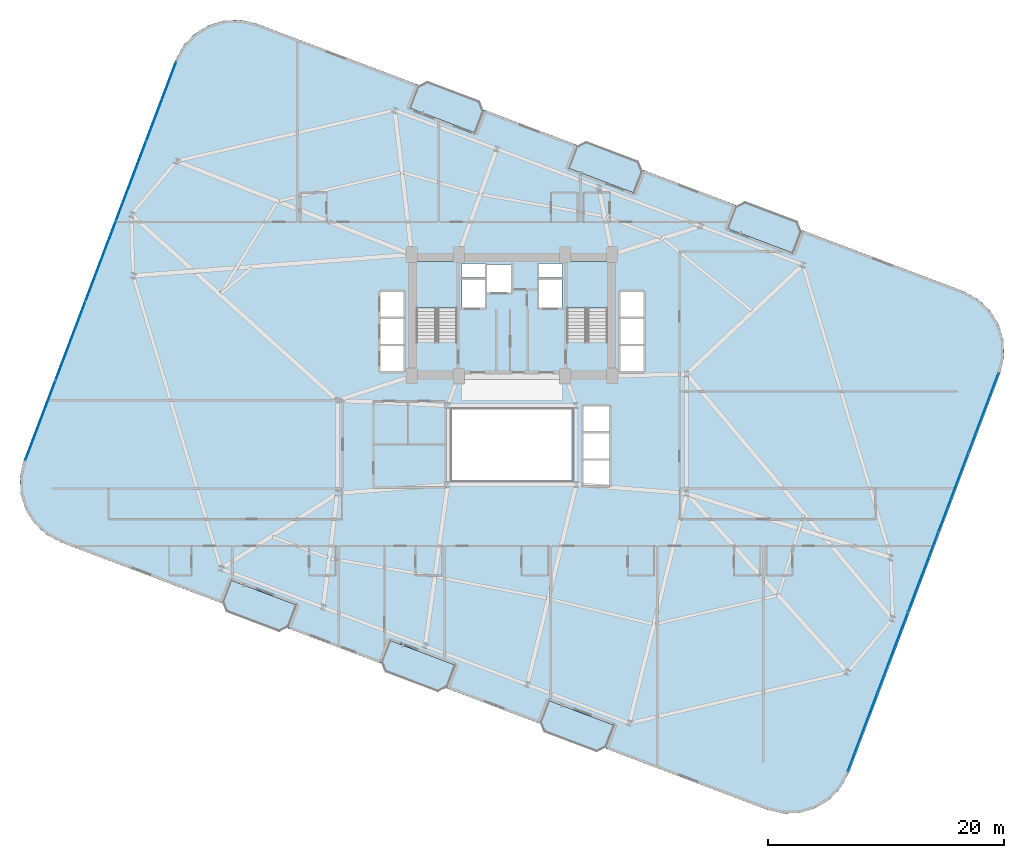
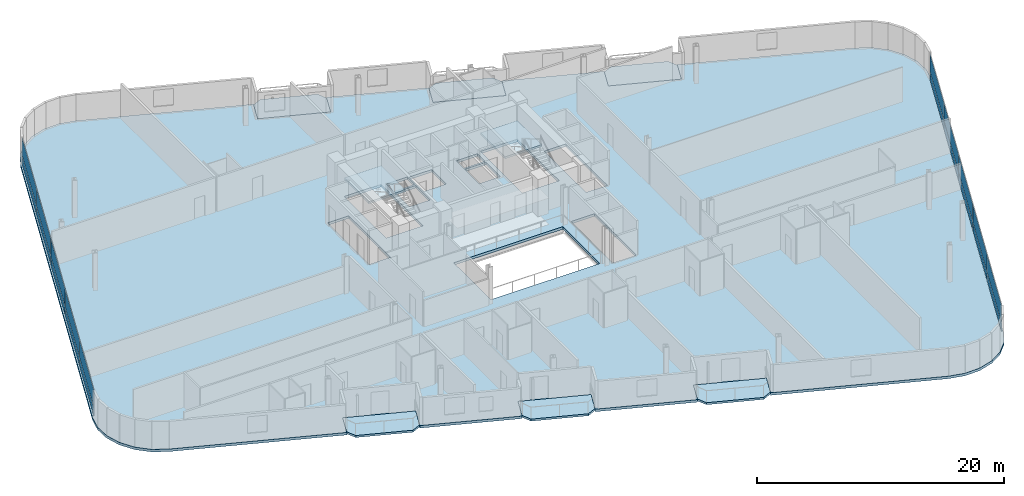
# One storey, part 17 of 26: 20 plates, 9 slabs, 4 elements without a shape of their own.
"""IFC4 building model written with IfcOpenShell, lengths in metres."""

from ifc_helpers import new_model, si_unit, direction, frame, origin, origin_2d, place, context, subcontext, project, spatial, polyline, rectangle, outline, extrude, source, transform, mapped, material, layer, layer_set, type_object, element, aggregate, save


model = new_model("IFC4")

# Units and contexts
model_context = context("Model", 3, precision=1e-05, world=origin(), true_north=direction((0.0, 1.0)))
body_context = subcontext(model_context, "Body", "Model", "MODEL_VIEW")
ifc_project = project(units=[si_unit("LENGTHUNIT", "METRE"), si_unit("AREAUNIT", "SQUARE_METRE"), si_unit("VOLUMEUNIT", "CUBIC_METRE"), si_unit("PLANEANGLEUNIT", "RADIAN"), si_unit("MASSUNIT", "GRAM", prefix="KILO")], contexts=[model_context])

# Site, building, storey
site_placement = place(None, origin())
site = spatial("IfcSite", under=ifc_project, at=site_placement, CompositionType="ELEMENT")
building_placement = place(site_placement, origin())
building = spatial("IfcBuilding", under=site, at=building_placement, Name="Varnelok Gate Tower", CompositionType="ELEMENT")
storey_placement = place(building_placement, frame((0.0, 0.0, 109.5)))
storey = spatial("IfcBuildingStorey", under=building, at=storey_placement, Name="L27", CompositionType="ELEMENT", Elevation=109.5)

# Slabs
ifc_material_1 = material(Name="Concrete C45/55", Category="concrete")
ifc_layer_1 = layer(ifc_material_1, 0.199951171875)
ifc_layer_set_1 = layer_set([ifc_layer_1], Name="Concrete C45/55")
slab_type_1 = type_object("IfcSlabType", Name="SLB-BALC-200", PredefinedType="FLOOR", material=ifc_layer_set_1)
slab_1_placement = place(storey_placement, frame((0.0, 0.0, -0.199951171875)))
element("IfcSlab", 1, at=slab_1_placement, inside=storey, type_object=slab_type_1, Name="L27 South Hollow Balcony 1", PredefinedType="FLOOR", context=body_context, shape_type="SweptSolid", body=[
    extrude(outline(polyline([(14.64208984375, 9.576416015625), (15.019775390625, 8.738525390625), (19.415283203125, 7.074462890625), (20.25341796875, 7.4521484375), (20.96142578125, 9.322509765625), (15.35009765625, 11.447021484375), (14.64208984375, 9.576416015625)])), origin(), (0.0, 0.0, 1.0), 0.199951171875),
])
slab_2_placement = place(storey_placement, frame((0.0, 0.0, -0.199951171875)))
element("IfcSlab", 2, at=slab_2_placement, inside=storey, type_object=slab_type_1, Name="L27 South Hollow Balcony 2", PredefinedType="FLOOR", context=body_context, shape_type="SweptSolid", body=[
    extrude(outline(polyline([(28.109375, 4.47802734375), (28.487060546875, 3.639892578125), (32.882568359375, 1.975830078125), (33.720703125, 2.353515625), (34.4287109375, 4.22412109375), (28.8173828125, 6.348388671875), (28.109375, 4.47802734375)])), origin(), (0.0, 0.0, 1.0), 0.199951171875),
])
slab_3_placement = place(storey_placement, frame((0.0, 0.0, -0.199951171875)))
element("IfcSlab", 3, at=slab_3_placement, inside=storey, type_object=slab_type_1, Name="L27 South Hollow Balcony 3", PredefinedType="FLOOR", context=body_context, shape_type="SweptSolid", body=[
    extrude(outline(polyline([(41.576416015625, -0.62060546875), (41.9541015625, -1.45849609375), (46.349853515625, -3.12255859375), (47.187744140625, -2.744873046875), (47.89599609375, -0.87451171875), (42.28466796875, 1.25), (41.576416015625, -0.62060546875)])), origin(), (0.0, 0.0, 1.0), 0.199951171875),
])
slab_4_placement = place(storey_placement, frame((0.0, 0.0, -0.199951171875)))
element("IfcSlab", 4, at=slab_4_placement, inside=storey, type_object=slab_type_1, Name="L27 North Hollow Balcony 1", PredefinedType="FLOOR", context=body_context, shape_type="SweptSolid", body=[
    extrude(outline(polyline([(30.504150390625, 51.474365234375), (36.115478515625, 49.35009765625), (36.823486328125, 51.220458984375), (36.44580078125, 52.05859375), (32.05029296875, 53.72265625), (31.212158203125, 53.344970703125), (30.504150390625, 51.474365234375)])), origin(), (0.0, 0.0, 1.0), 0.199951171875),
])
slab_5_placement = place(storey_placement, frame((0.0, 0.0, -0.199951171875)))
element("IfcSlab", 5, at=slab_5_placement, inside=storey, type_object=slab_type_1, Name="L27 North Hollow Balcony 2", PredefinedType="FLOOR", context=body_context, shape_type="SweptSolid", body=[
    extrude(outline(polyline([(43.97119140625, 46.3759765625), (49.58251953125, 44.251708984375), (50.290771484375, 46.1220703125), (49.9130859375, 46.9599609375), (45.517333984375, 48.6240234375), (44.679443359375, 48.246337890625), (43.97119140625, 46.3759765625)])), origin(), (0.0, 0.0, 1.0), 0.199951171875),
])
slab_6_placement = place(storey_placement, frame((0.0, 0.0, -0.199951171875)))
element("IfcSlab", 6, at=slab_6_placement, inside=storey, type_object=slab_type_1, Name="L27 North Hollow Balcony 3", PredefinedType="FLOOR", context=body_context, shape_type="SweptSolid", body=[
    extrude(outline(polyline([(57.4384765625, 41.27734375), (63.0498046875, 39.153076171875), (63.7578125, 41.0234375), (63.380126953125, 41.861572265625), (58.984619140625, 43.525634765625), (58.146484375, 43.14794921875), (57.4384765625, 41.27734375)])), origin(), (0.0, 0.0, 1.0), 0.199951171875),
])

# Stair, slab
ifc_material_2 = material(Name="Concrete C50/60", Category="concrete")
stair_type = type_object("IfcStairType", Name="STR-CORE-1650", PredefinedType="HALF_TURN_STAIR", material=ifc_material_2)
stair_1_placement = place(storey_placement, origin())
stair_1 = element("IfcStair", 7, at=stair_1_placement, inside=storey, type_object=stair_type, Name="L27 Exit Stair ST-1", PredefinedType="HALF_TURN_STAIR")
ifc_layer_2 = layer(ifc_material_1, 0.199951171875)
ifc_layer_set_2 = layer_set([ifc_layer_2], Name="Concrete C45/55")
slab_type_2 = type_object("IfcSlabType", Name="SLB-LAND-200", PredefinedType="LANDING", material=ifc_layer_set_2)
slab_7_placement = place(storey_placement, frame((0.0, 0.0, 1.64990234375)))
slab_7 = element("IfcSlab", 8, at=slab_7_placement, type_object=slab_type_2, Name="ST-1 landing 1", PredefinedType="LANDING", context=body_context, shape_type="SweptSolid", body=[
    extrude(outline(polyline([(34.550048828125, 34.5), (34.550048828125, 38.449951171875), (31.10009765625, 38.449951171875), (31.10009765625, 34.5), (34.550048828125, 34.5)])), origin(), (0.0, 0.0, 1.0), 0.2001953125),
])
aggregate(stair_1, [slab_7])

stair_2_placement = place(storey_placement, origin())
stair_2 = element("IfcStair", 9, at=stair_2_placement, inside=storey, type_object=stair_type, Name="L27 Exit Stair ST-2", PredefinedType="HALF_TURN_STAIR")
slab_8_placement = place(storey_placement, frame((0.0, 0.0, 1.64990234375)))
slab_8 = element("IfcSlab", 10, at=slab_8_placement, type_object=slab_type_2, Name="ST-2 landing 1", PredefinedType="LANDING", context=body_context, shape_type="SweptSolid", body=[
    extrude(outline(polyline([(47.300048828125, 34.5), (47.300048828125, 38.449951171875), (43.85009765625, 38.449951171875), (43.85009765625, 34.5), (47.300048828125, 34.5)])), origin(), (0.0, 0.0, 1.0), 0.2001953125),
])
aggregate(stair_2, [slab_8])

# Slab
ifc_layer_3 = layer(ifc_material_2, 0.25)
ifc_layer_set_3 = layer_set([ifc_layer_3], Name="Concrete C50/60")
slab_type_3 = type_object("IfcSlabType", Name="SLB-TYP-250", PredefinedType="FLOOR", material=ifc_layer_set_3)
slab_9_placement = place(storey_placement, frame((0.0, 0.0, -0.25)))
element("IfcSlab", 11, at=slab_9_placement, inside=storey, type_object=slab_type_3, Name="L27 Structural Floor Slab", PredefinedType="FLOOR", context=body_context, shape_type="SweptSolid", body=[
    extrude(outline(polyline([(-2.185791015625, 21.614501953125), (-2.508544921875, 20.2421875), (-2.465087890625, 18.833251953125), (-2.05859375, 17.4833984375), (-1.31640625, 16.284912109375), (-0.28955078125, 15.319091796875), (0.952392578125, 14.65234375), (12.05029296875, 10.45068359375), (14.606689453125, 9.48291015625), (15.35009765625, 11.447021484375), (20.96142578125, 9.322509765625), (20.218017578125, 7.358642578125), (28.073974609375, 4.384521484375), (28.8173828125, 6.348388671875), (34.4287109375, 4.22412109375), (33.685302734375, 2.260009765625), (41.541015625, -0.714111328125), (42.28466796875, 1.25), (47.89599609375, -0.87451171875), (47.15234375, -2.83837890625), (49.708740234375, -3.80615234375), (60.806640625, -8.0078125), (62.1787109375, -8.33056640625), (63.587890625, -8.287109375), (64.937744140625, -7.880615234375), (66.13623046875, -7.138427734375), (67.101806640625, -6.111328125), (67.768798828125, -4.869384765625), (80.585693359375, 28.985595703125), (80.90869140625, 30.35791015625), (80.865234375, 31.766845703125), (80.45849609375, 33.11669921875), (79.716552734375, 34.315185546875), (78.689453125, 35.28076171875), (77.447509765625, 35.94775390625), (66.349609375, 40.1494140625), (63.793212890625, 41.116943359375), (63.0498046875, 39.153076171875), (57.4384765625, 41.27734375), (58.181884765625, 43.241455078125), (50.326171875, 46.215576171875), (49.58251953125, 44.251708984375), (43.97119140625, 46.3759765625), (44.71484375, 48.33984375), (36.85888671875, 51.31396484375), (36.115478515625, 49.35009765625), (30.504150390625, 51.474365234375), (31.24755859375, 53.4384765625), (28.69140625, 54.40625), (17.593505859375, 58.607666015625), (16.22119140625, 58.930419921875), (14.81201171875, 58.886962890625), (13.46240234375, 58.48046875), (12.263916015625, 57.73828125), (11.298095703125, 56.71142578125), (10.631103515625, 55.469482421875), (-2.185791015625, 21.614501953125)]), holes=[polyline([(34.550048828125, 31.679931640625), (34.550048828125, 38.449951171875), (31.10009765625, 38.449951171875), (31.10009765625, 31.679931640625), (34.550048828125, 31.679931640625)]), polyline([(47.300048828125, 31.679931640625), (47.300048828125, 38.449951171875), (43.85009765625, 38.449951171875), (43.85009765625, 31.679931640625), (47.300048828125, 31.679931640625)]), polyline([(34.949951171875, 34.550048828125), (36.89990234375, 34.550048828125), (36.89990234375, 36.89990234375), (34.949951171875, 36.89990234375), (34.949951171875, 34.550048828125)]), polyline([(41.5, 34.550048828125), (43.449951171875, 34.550048828125), (43.449951171875, 36.89990234375), (41.5, 36.89990234375), (41.5, 34.550048828125)]), polyline([(37.050048828125, 35.85009765625), (39.14990234375, 35.85009765625), (39.14990234375, 38.199951171875), (37.050048828125, 38.199951171875), (37.050048828125, 35.85009765625)]), polyline([(28.050048828125, 29.14990234375), (30.050048828125, 29.14990234375), (30.050048828125, 35.89990234375), (28.050048828125, 35.89990234375), (28.050048828125, 29.14990234375)]), polyline([(48.35009765625, 29.14990234375), (50.35009765625, 29.14990234375), (50.35009765625, 35.89990234375), (48.35009765625, 35.89990234375), (48.35009765625, 29.14990234375)]), polyline([(45.25, 19.449951171875), (47.449951171875, 19.449951171875), (47.449951171875, 26.199951171875), (45.25, 26.199951171875), (45.25, 19.449951171875)]), polyline([(34.919921875, 37.080078125), (36.89990234375, 37.080078125), (36.89990234375, 38.280029296875), (34.919921875, 38.280029296875), (34.919921875, 37.080078125)]), polyline([(41.5, 37.080078125), (43.47998046875, 37.080078125), (43.47998046875, 38.280029296875), (41.5, 38.280029296875), (41.5, 37.080078125)]), polyline([(34.10009765625, 19.89990234375), (44.300048828125, 19.89990234375), (44.300048828125, 25.89990234375), (34.10009765625, 25.89990234375), (34.10009765625, 19.89990234375)])]), origin(), (0.0, 0.0, 1.0), 0.25),
])

# Curtain wall, plates
ifc_material_3 = material(Name="Anodized Aluminum Alloy 6063-T6", Category="aluminium")
ifc_layer_4 = layer(ifc_material_3, 0.179931640625)
ifc_layer_set_4 = layer_set([ifc_layer_4], Name="Anodized Aluminum Alloy 6063-T6")
curtain_wall_type = type_object("IfcCurtainWallType", Name="CW3-HOTEL-VISION", PredefinedType="USERDEFINED", material=ifc_layer_set_4)
curtain_wall_1_placement = place(storey_placement, origin())
curtain_wall_1 = element("IfcCurtainWall", 12, at=curtain_wall_1_placement, inside=storey, type_object=curtain_wall_type, Name="L27 West End Vision Curtain Wall", ObjectType="UNITISED CURTAIN WALL", PredefinedType="USERDEFINED")
ifc_material_4 = material(Name="Low-E Laminated Double Glazing IGU", Category="glass")
ifc_layer_5 = layer(ifc_material_4, 0.031982421875)
ifc_layer_set_5 = layer_set([ifc_layer_5], Name="Low-E Laminated Double Glazing IGU")
plate_type = type_object("IfcPlateType", Name="CW-PNL-IGU32", PredefinedType="CURTAIN_PANEL", material=ifc_layer_set_5)
shared_shape_1 = source(origin(), body_context, "Body", "SweptSolid", [
    extrude(rectangle(XDim=7.142578125, YDim=0.031982421875, at=origin_2d()), origin(), (0.0, 0.0, 1.0), 0.802490234375),
])
plate_1_placement = place(storey_placement, frame((-0.767333984375, 24.965576171875, 0.06494140625), z_axis=(0.0, 0.0, 1.0), x_axis=(0.354063660545, 0.935221323688, 0.0)))
plate_1 = element("IfcPlate", 13, at=plate_1_placement, type_object=plate_type, Name="CW3 panel 1.1", PredefinedType="CURTAIN_PANEL", context=body_context, shape_type="MappedRepresentation", body=[
    mapped(shared_shape_1, transform((0.0, 0.0, 0.0), scale=1.0)),
])
plate_2_placement = place(storey_placement, frame((9.474853515625, 52.019287109375, 0.06494140625), z_axis=(0.0, 0.0, 1.0), x_axis=(0.354063660545, 0.935221323688, 0.0)))
plate_2 = element("IfcPlate", 14, at=plate_2_placement, type_object=plate_type, Name="CW3 panel 5.1", PredefinedType="CURTAIN_PANEL", context=body_context, shape_type="MappedRepresentation", body=[
    mapped(shared_shape_1, transform((0.0, 0.0, 0.0), scale=1.0)),
])

curtain_wall_2_placement = place(storey_placement, origin())
curtain_wall_2 = element("IfcCurtainWall", 15, at=curtain_wall_2_placement, inside=storey, type_object=curtain_wall_type, Name="L27 East End Vision Curtain Wall", ObjectType="UNITISED CURTAIN WALL", PredefinedType="USERDEFINED")
plate_3_placement = place(storey_placement, frame((79.16748046875, 25.634521484375, 0.06494140625), z_axis=(0.0, 0.0, 1.0), x_axis=(-0.354063660545, -0.935221323688, 0.0)))
plate_3 = element("IfcPlate", 16, at=plate_3_placement, type_object=plate_type, Name="CW3 panel 1.1", PredefinedType="CURTAIN_PANEL", context=body_context, shape_type="MappedRepresentation", body=[
    mapped(shared_shape_1, transform((0.0, 0.0, 0.0), scale=1.0)),
])
plate_4_placement = place(storey_placement, frame((68.92529296875, -1.419189453125, 0.06494140625), z_axis=(0.0, 0.0, 1.0), x_axis=(-0.354063660545, -0.935221323688, 0.0)))
plate_4 = element("IfcPlate", 17, at=plate_4_placement, type_object=plate_type, Name="CW3 panel 5.1", PredefinedType="CURTAIN_PANEL", context=body_context, shape_type="MappedRepresentation", body=[
    mapped(shared_shape_1, transform((0.0, 0.0, 0.0), scale=1.0)),
])

# Plate
shared_shape_2 = source(origin(), body_context, "Body", "SweptSolid", [
    extrude(rectangle(XDim=7.142578125, YDim=0.031982421875, at=origin_2d()), origin(), (0.0, 0.0, 1.0), 1.732421875),
])
plate_5_placement = place(storey_placement, frame((-0.767333984375, 24.965576171875, 0.9326171875), z_axis=(0.0, 0.0, 1.0), x_axis=(0.354063660545, 0.935221323688, 0.0)))
plate_5 = element("IfcPlate", 18, at=plate_5_placement, type_object=plate_type, Name="CW3 panel 1.2", PredefinedType="CURTAIN_PANEL", context=body_context, shape_type="MappedRepresentation", body=[
    mapped(shared_shape_2, transform((0.0, 0.0, 0.0), scale=1.0)),
])

plate_6_placement = place(storey_placement, frame((9.474853515625, 52.019287109375, 0.9326171875), z_axis=(0.0, 0.0, 1.0), x_axis=(0.354063660545, 0.935221323688, 0.0)))
plate_6 = element("IfcPlate", 19, at=plate_6_placement, type_object=plate_type, Name="CW3 panel 5.2", PredefinedType="CURTAIN_PANEL", context=body_context, shape_type="MappedRepresentation", body=[
    mapped(shared_shape_2, transform((0.0, 0.0, 0.0), scale=1.0)),
])

plate_7_placement = place(storey_placement, frame((79.16748046875, 25.634521484375, 0.9326171875), z_axis=(0.0, 0.0, 1.0), x_axis=(-0.354063660545, -0.935221323688, 0.0)))
plate_7 = element("IfcPlate", 20, at=plate_7_placement, type_object=plate_type, Name="CW3 panel 1.2", PredefinedType="CURTAIN_PANEL", context=body_context, shape_type="MappedRepresentation", body=[
    mapped(shared_shape_2, transform((0.0, 0.0, 0.0), scale=1.0)),
])

plate_8_placement = place(storey_placement, frame((68.92529296875, -1.419189453125, 0.9326171875), z_axis=(0.0, 0.0, 1.0), x_axis=(-0.354063660545, -0.935221323688, 0.0)))
plate_8 = element("IfcPlate", 21, at=plate_8_placement, type_object=plate_type, Name="CW3 panel 5.2", PredefinedType="CURTAIN_PANEL", context=body_context, shape_type="MappedRepresentation", body=[
    mapped(shared_shape_2, transform((0.0, 0.0, 0.0), scale=1.0)),
])

shared_shape_3 = source(origin(), body_context, "Body", "SweptSolid", [
    extrude(rectangle(XDim=7.175048828125, YDim=0.031982421875, at=origin_2d()), origin(), (0.0, 0.0, 1.0), 0.802490234375),
])
plate_9_placement = place(storey_placement, frame((1.790283203125, 31.721435546875, 0.06494140625), z_axis=(0.0, 0.0, 1.0), x_axis=(0.354063660545, 0.935221323688, 0.0)))
plate_9 = element("IfcPlate", 22, at=plate_9_placement, type_object=plate_type, Name="CW3 panel 2.1", PredefinedType="CURTAIN_PANEL", context=body_context, shape_type="MappedRepresentation", body=[
    mapped(shared_shape_3, transform((0.0, 0.0, 0.0), scale=1.0)),
])

plate_10_placement = place(storey_placement, frame((4.353759765625, 38.492431640625, 0.06494140625), z_axis=(0.0, 0.0, 1.0), x_axis=(0.354063660545, 0.935221323688, 0.0)))
plate_10 = element("IfcPlate", 23, at=plate_10_placement, type_object=plate_type, Name="CW3 panel 3.1", PredefinedType="CURTAIN_PANEL", context=body_context, shape_type="MappedRepresentation", body=[
    mapped(shared_shape_3, transform((0.0, 0.0, 0.0), scale=1.0)),
])

plate_11_placement = place(storey_placement, frame((6.9169921875, 45.263427734375, 0.06494140625), z_axis=(0.0, 0.0, 1.0), x_axis=(0.354063660545, 0.935221323688, 0.0)))
plate_11 = element("IfcPlate", 24, at=plate_11_placement, type_object=plate_type, Name="CW3 panel 4.1", PredefinedType="CURTAIN_PANEL", context=body_context, shape_type="MappedRepresentation", body=[
    mapped(shared_shape_3, transform((0.0, 0.0, 0.0), scale=1.0)),
])

plate_12_placement = place(storey_placement, frame((76.60986328125, 18.878662109375, 0.06494140625), z_axis=(0.0, 0.0, 1.0), x_axis=(-0.354063660545, -0.935221323688, 0.0)))
plate_12 = element("IfcPlate", 25, at=plate_12_placement, type_object=plate_type, Name="CW3 panel 2.1", PredefinedType="CURTAIN_PANEL", context=body_context, shape_type="MappedRepresentation", body=[
    mapped(shared_shape_3, transform((0.0, 0.0, 0.0), scale=1.0)),
])

plate_13_placement = place(storey_placement, frame((74.04638671875, 12.107666015625, 0.06494140625), z_axis=(0.0, 0.0, 1.0), x_axis=(-0.354063660545, -0.935221323688, 0.0)))
plate_13 = element("IfcPlate", 26, at=plate_13_placement, type_object=plate_type, Name="CW3 panel 3.1", PredefinedType="CURTAIN_PANEL", context=body_context, shape_type="MappedRepresentation", body=[
    mapped(shared_shape_3, transform((0.0, 0.0, 0.0), scale=1.0)),
])

plate_14_placement = place(storey_placement, frame((71.48291015625, 5.336669921875, 0.06494140625), z_axis=(0.0, 0.0, 1.0), x_axis=(-0.354063660545, -0.935221323688, 0.0)))
plate_14 = element("IfcPlate", 27, at=plate_14_placement, type_object=plate_type, Name="CW3 panel 4.1", PredefinedType="CURTAIN_PANEL", context=body_context, shape_type="MappedRepresentation", body=[
    mapped(shared_shape_3, transform((0.0, 0.0, 0.0), scale=1.0)),
])

shared_shape_4 = source(origin(), body_context, "Body", "SweptSolid", [
    extrude(rectangle(XDim=7.175048828125, YDim=0.031982421875, at=origin_2d()), origin(), (0.0, 0.0, 1.0), 1.732421875),
])
plate_15_placement = place(storey_placement, frame((1.790283203125, 31.721435546875, 0.9326171875), z_axis=(0.0, 0.0, 1.0), x_axis=(0.354063660545, 0.935221323688, 0.0)))
plate_15 = element("IfcPlate", 28, at=plate_15_placement, type_object=plate_type, Name="CW3 panel 2.2", PredefinedType="CURTAIN_PANEL", context=body_context, shape_type="MappedRepresentation", body=[
    mapped(shared_shape_4, transform((0.0, 0.0, 0.0), scale=1.0)),
])

plate_16_placement = place(storey_placement, frame((4.353759765625, 38.492431640625, 0.9326171875), z_axis=(0.0, 0.0, 1.0), x_axis=(0.354063660545, 0.935221323688, 0.0)))
plate_16 = element("IfcPlate", 29, at=plate_16_placement, type_object=plate_type, Name="CW3 panel 3.2", PredefinedType="CURTAIN_PANEL", context=body_context, shape_type="MappedRepresentation", body=[
    mapped(shared_shape_4, transform((0.0, 0.0, 0.0), scale=1.0)),
])

plate_17_placement = place(storey_placement, frame((6.9169921875, 45.263427734375, 0.9326171875), z_axis=(0.0, 0.0, 1.0), x_axis=(0.354063660545, 0.935221323688, 0.0)))
plate_17 = element("IfcPlate", 30, at=plate_17_placement, type_object=plate_type, Name="CW3 panel 4.2", PredefinedType="CURTAIN_PANEL", context=body_context, shape_type="MappedRepresentation", body=[
    mapped(shared_shape_4, transform((0.0, 0.0, 0.0), scale=1.0)),
])

aggregate(curtain_wall_1, [plate_1, plate_5, plate_9, plate_15, plate_10, plate_16, plate_11, plate_17, plate_2, plate_6])

plate_18_placement = place(storey_placement, frame((76.60986328125, 18.878662109375, 0.9326171875), z_axis=(0.0, 0.0, 1.0), x_axis=(-0.354063660545, -0.935221323688, 0.0)))
plate_18 = element("IfcPlate", 31, at=plate_18_placement, type_object=plate_type, Name="CW3 panel 2.2", PredefinedType="CURTAIN_PANEL", context=body_context, shape_type="MappedRepresentation", body=[
    mapped(shared_shape_4, transform((0.0, 0.0, 0.0), scale=1.0)),
])

plate_19_placement = place(storey_placement, frame((74.04638671875, 12.107666015625, 0.9326171875), z_axis=(0.0, 0.0, 1.0), x_axis=(-0.354063660545, -0.935221323688, 0.0)))
plate_19 = element("IfcPlate", 32, at=plate_19_placement, type_object=plate_type, Name="CW3 panel 3.2", PredefinedType="CURTAIN_PANEL", context=body_context, shape_type="MappedRepresentation", body=[
    mapped(shared_shape_4, transform((0.0, 0.0, 0.0), scale=1.0)),
])

plate_20_placement = place(storey_placement, frame((71.48291015625, 5.336669921875, 0.9326171875), z_axis=(0.0, 0.0, 1.0), x_axis=(-0.354063660545, -0.935221323688, 0.0)))
plate_20 = element("IfcPlate", 33, at=plate_20_placement, type_object=plate_type, Name="CW3 panel 4.2", PredefinedType="CURTAIN_PANEL", context=body_context, shape_type="MappedRepresentation", body=[
    mapped(shared_shape_4, transform((0.0, 0.0, 0.0), scale=1.0)),
])

aggregate(curtain_wall_2, [plate_3, plate_7, plate_12, plate_18, plate_13, plate_19, plate_14, plate_20, plate_4, plate_8])

save(model, "model.ifc")
